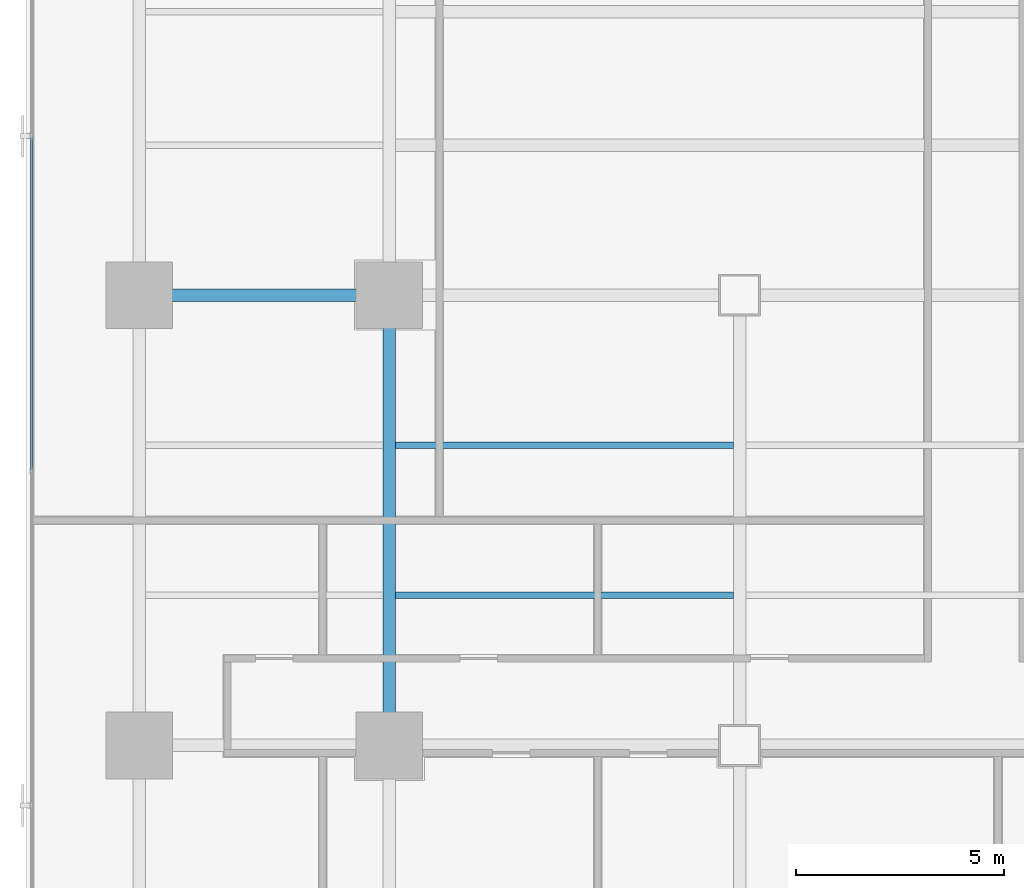
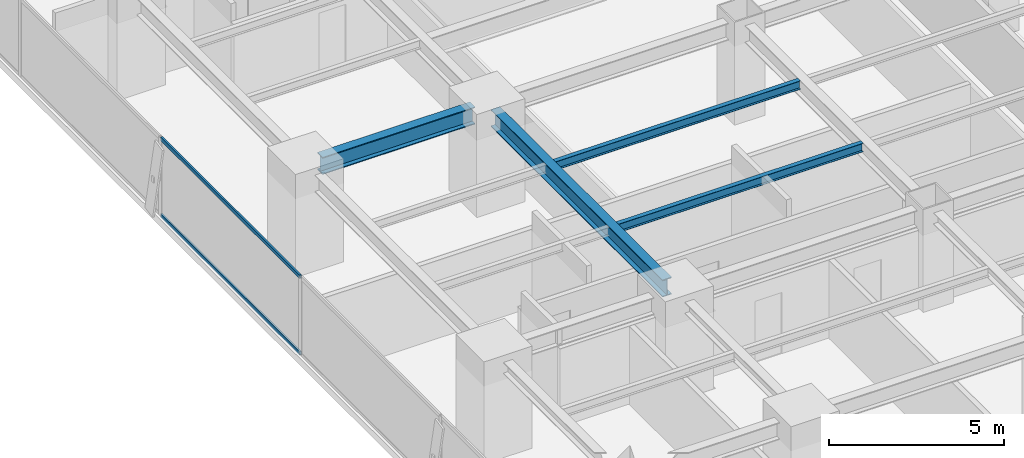
# One storey, part 9 of 35: 4 beams, 2 members, 1 element without a shape of its own.
"""IFC4 building model written with IfcOpenShell, lengths in metres."""

from ifc_helpers import new_model, si_unit, direction, frame, origin, origin_2d, place, context, subcontext, project, spatial, hollow_rectangle, i_section, extrude, source, transform, mapped, material, layer, layer_set, material_profile, profile_set, type_object, element, aggregate, save


model = new_model("IFC4")

# Units and contexts
model_context = context("Model", 3, precision=1e-05, world=origin(), true_north=direction((0.0, 1.0)))
body_context = subcontext(model_context, "Body", "Model", "MODEL_VIEW")
ifc_project = project(units=[si_unit("LENGTHUNIT", "METRE"), si_unit("AREAUNIT", "SQUARE_METRE"), si_unit("VOLUMEUNIT", "CUBIC_METRE"), si_unit("PLANEANGLEUNIT", "RADIAN"), si_unit("MASSUNIT", "GRAM", prefix="KILO")], contexts=[model_context])

# Site, building, storey
site_placement = place(None, origin())
site = spatial("IfcSite", under=ifc_project, at=site_placement, CompositionType="ELEMENT")
building_placement = place(site_placement, origin())
building = spatial("IfcBuilding", under=site, at=building_placement, Name="Sumidabori Civic Tower", CompositionType="ELEMENT")
storey_placement = place(building_placement, frame((0.0, 0.0, 102.800048828125)))
storey = spatial("IfcBuildingStorey", under=building, at=storey_placement, Name="L26", CompositionType="ELEMENT", Elevation=102.800048828125)

# Beams
ifc_material_1 = material(Name="Steel SN490", Category="steel")
ifc_material_profile_1 = material_profile(ifc_material_1, i_section(OverallWidth=0.300048828125, OverallDepth=0.60009765625, WebThickness=0.015380859375, FlangeThickness=0.030029296875, at=origin_2d()), Name="HE 600 B")
ifc_profile_set_1 = profile_set([ifc_material_profile_1], Name="Steel SN490")
beam_type_1 = type_object("IfcBeamType", Name="BM-GIRD-600", PredefinedType="BEAM", material=ifc_profile_set_1)
shared_shape_1 = source(origin(), body_context, "Body", "SweptSolid", [
    extrude(i_section(OverallWidth=0.300048828125, OverallDepth=0.60009765625, WebThickness=0.015380859375, FlangeThickness=0.030029296875, at=origin_2d()), origin(), (0.0, 0.0, 1.0), 5.0400390625),
])
beam_1_placement = place(storey_placement, frame((-22.320068359375, 0.0, 3.06005859375), z_axis=(1.0, 0.0, 0.0), x_axis=(0.0, 1.0, 0.0)))
element("IfcBeam", 1, at=beam_1_placement, inside=storey, type_object=beam_type_1, Name="Primary Girder L26 GX-13", PredefinedType="BEAM", context=body_context, shape_type="MappedRepresentation", body=[
    mapped(shared_shape_1, transform((0.0, 0.0, 0.0), x_axis=(1.0, 0.0, 0.0), y_axis=(0.0, 1.0, 0.0), z_axis=(0.0, 0.0, 1.0), scale=1.0)),
])
shared_shape_2 = source(origin(), body_context, "Body", "SweptSolid", [
    extrude(i_section(OverallWidth=0.300048828125, OverallDepth=0.60009765625, WebThickness=0.015380859375, FlangeThickness=0.030029296875, at=origin_2d()), origin(), (0.0, 0.0, 1.0), 9.840087890625),
])
beam_2_placement = place(storey_placement, frame((-16.800048828125, -10.320068359375, 3.06005859375), z_axis=(0.0, 1.0, 0.0), x_axis=(-1.0, 0.0, 0.0)))
element("IfcBeam", 2, at=beam_2_placement, inside=storey, type_object=beam_type_1, Name="Primary Girder L26 GY-26", PredefinedType="BEAM", context=body_context, shape_type="MappedRepresentation", body=[
    mapped(shared_shape_2, transform((0.0, 0.0, 0.0), x_axis=(1.0, 0.0, 0.0), y_axis=(0.0, 1.0, 0.0), z_axis=(0.0, 0.0, 1.0), scale=1.0)),
])
ifc_material_profile_2 = material_profile(ifc_material_1, i_section(OverallWidth=0.14990234375, OverallDepth=0.300048828125, WebThickness=0.007080078125, FlangeThickness=0.0107421875, at=origin_2d()), Name="IPE 300")
ifc_profile_set_2 = profile_set([ifc_material_profile_2], Name="Steel SN490")
beam_type_2 = type_object("IfcBeamType", Name="BM-JST-300", PredefinedType="JOIST", material=ifc_profile_set_2)
shared_shape_3 = source(origin(), body_context, "Body", "SweptSolid", [
    extrude(i_section(OverallWidth=0.14990234375, OverallDepth=0.300048828125, WebThickness=0.007080078125, FlangeThickness=0.0107421875, at=origin_2d()), origin(), (0.0, 0.0, 1.0), 8.099853515625),
])
for number, where, z_axis, x_axis, name in (
    (3, (-16.64990234375, -7.199951171875, 3.2099609375), (1.0, 0.0, 0.0), (0.0, 1.0, 0.0), "South Bay Floor Joist L26 JSTS-59"),
    (4, (-16.64990234375, -3.60009765625, 3.2099609375), (1.0, 0.0, 0.0), (0.0, 1.0, 0.0), "South Bay Floor Joist L26 JSTS-63"),
):
    element("IfcBeam", number, at=place(storey_placement, frame(where, z_axis=z_axis, x_axis=x_axis)), inside=storey, type_object=beam_type_2, Name=name, PredefinedType="JOIST", context=body_context, shape_type="MappedRepresentation", body=[
        mapped(shared_shape_3, transform((0.0, 0.0, 0.0), x_axis=(1.0, 0.0, 0.0), y_axis=(0.0, 1.0, 0.0), z_axis=(0.0, 0.0, 1.0), scale=1.0)),
    ])

# Curtain wall, members
ifc_material_2 = material(Name="Anodised Bronze Aluminium AW-6063-T6", Category="aluminium")
ifc_layer = layer(ifc_material_2, 0.179931640625, Name="Anodised Bronze Aluminium AW-6063-T6")
ifc_layer_set = layer_set([ifc_layer], Name="Anodised Bronze Aluminium AW-6063-T6")
curtain_wall_type = type_object("IfcCurtainWallType", Name="CW-SYS-3", PredefinedType="NOTDEFINED", material=ifc_layer_set)
curtain_wall_placement = place(storey_placement, origin())
curtain_wall = element("IfcCurtainWall", 5, at=curtain_wall_placement, inside=storey, type_object=curtain_wall_type, Name="Curtain Wall CW:L26:R10", PredefinedType="NOTDEFINED")
ifc_material_profile_3 = material_profile(ifc_material_2, hollow_rectangle(XDim=0.06005859375, YDim=0.1298828125, WallThickness=0.0048828125, at=origin_2d()), Name="ALU TRANSOM 130x60")
ifc_profile_set_3 = profile_set([ifc_material_profile_3], Name="Anodised Bronze Aluminium AW-6063-T6")
member_type = type_object("IfcMemberType", Name="CW-TRN-130", PredefinedType="USERDEFINED", material=ifc_profile_set_3)
shared_shape_4 = source(origin(), body_context, "Body", "SweptSolid", [
    extrude(hollow_rectangle(XDim=0.06005859375, YDim=0.1298828125, WallThickness=0.0048828125, at=origin_2d()), origin(), (0.0, 0.0, 1.0), 7.962890625),
])
member_1_placement = place(storey_placement, frame((-25.3798828125, 3.781494140625, 0.030029296875), z_axis=(0.0, -1.0, 0.0), x_axis=(1.0, 0.0, 0.0)))
member_1 = element("IfcMember", 6, at=member_1_placement, type_object=member_type, Name="CW-3 transom 3.1", ObjectType="TRANSOM", PredefinedType="USERDEFINED", context=body_context, shape_type="MappedRepresentation", body=[
    mapped(shared_shape_4, transform((0.0, 0.0, 0.0), x_axis=(1.0, 0.0, 0.0), y_axis=(0.0, 1.0, 0.0), z_axis=(0.0, 0.0, 1.0), scale=1.0)),
])
member_2_placement = place(storey_placement, frame((-25.3798828125, 3.781494140625, 2.7099609375), z_axis=(0.0, -1.0, 0.0), x_axis=(1.0, 0.0, 0.0)))
member_2 = element("IfcMember", 7, at=member_2_placement, type_object=member_type, Name="CW-3 transom 3.2", ObjectType="TRANSOM", PredefinedType="USERDEFINED", context=body_context, shape_type="MappedRepresentation", body=[
    mapped(shared_shape_4, transform((0.0, 0.0, 0.0), x_axis=(1.0, 0.0, 0.0), y_axis=(0.0, 1.0, 0.0), z_axis=(0.0, 0.0, 1.0), scale=1.0)),
])
aggregate(curtain_wall, [member_1, member_2])

save(model, "model.ifc")
